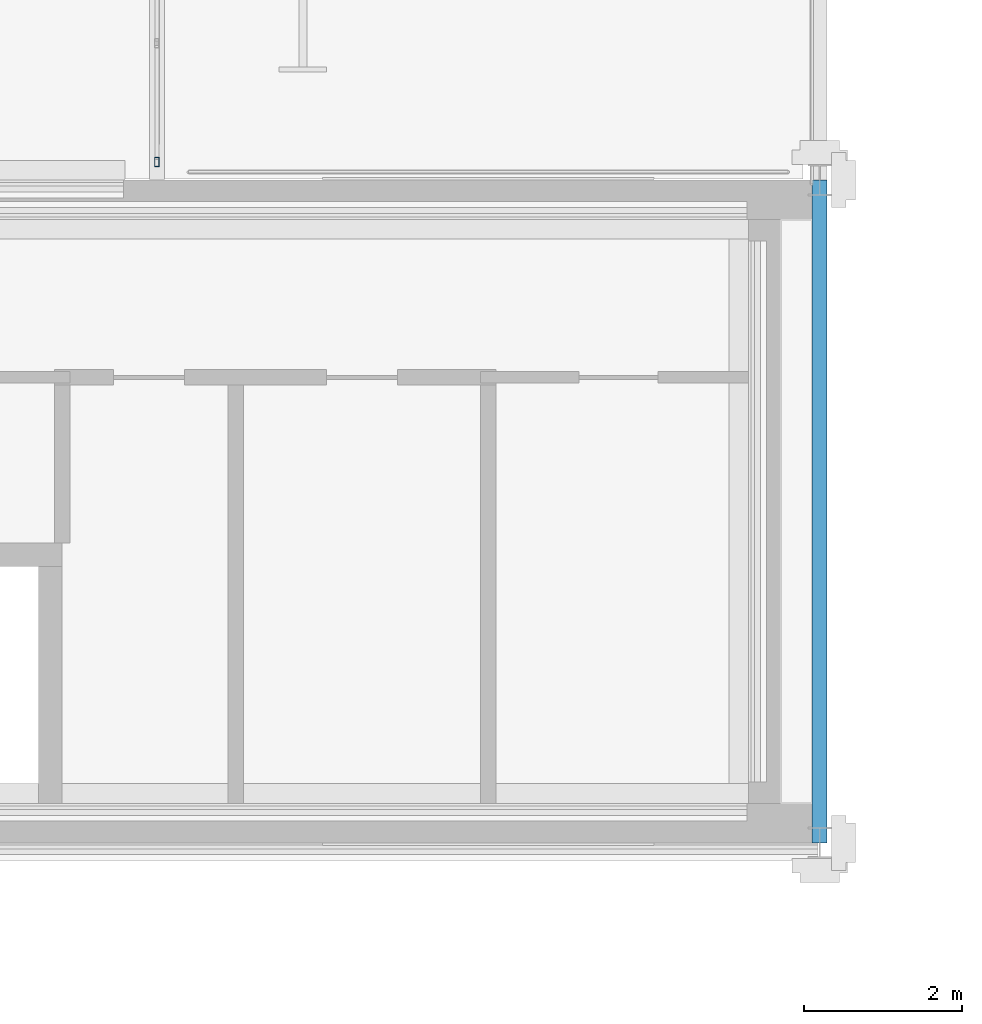
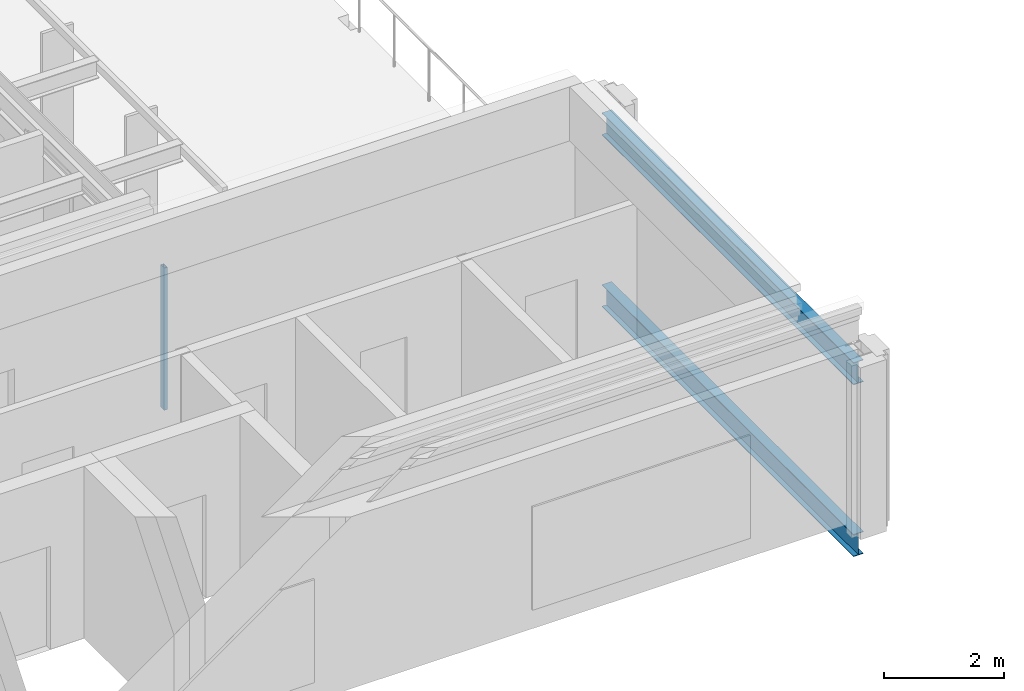
# One storey, part 5 of 31: 2 beams, 1 member, 1 element without a shape of its own.
"""IFC4 building model written with IfcOpenShell, lengths in metres."""

from ifc_helpers import new_model, si_unit, direction, frame, origin, origin_2d, place, context, subcontext, project, spatial, hollow_rectangle, i_section, extrude, material, material_profile, profile_set, type_object, element, aggregate, save


model = new_model("IFC4")

# Units and contexts
model_context = context("Model", 3, precision=1e-05, world=origin(), true_north=direction((0.0, 1.0)))
body_context = subcontext(model_context, "Body", "Model", "MODEL_VIEW")
ifc_project = project(units=[si_unit("LENGTHUNIT", "METRE"), si_unit("AREAUNIT", "SQUARE_METRE"), si_unit("VOLUMEUNIT", "CUBIC_METRE"), si_unit("PLANEANGLEUNIT", "RADIAN"), si_unit("MASSUNIT", "GRAM", prefix="KILO")], contexts=[model_context])

# Site, building, storey
site_placement = place(None, origin())
site = spatial("IfcSite", under=ifc_project, at=site_placement, CompositionType="ELEMENT")
building_placement = place(site_placement, origin())
building = spatial("IfcBuilding", under=site, at=building_placement, Name="Catenary Quay Ferry Terminal", CompositionType="ELEMENT")
storey_placement = place(building_placement, frame((0.0, 0.0, 20.60009765625)))
storey = spatial("IfcBuildingStorey", under=building, at=storey_placement, Name="L04", CompositionType="ELEMENT", Elevation=20.60009765625)

# Beams
ifc_material_1 = material(Name="Steel S355", Category="steel")
ifc_material_profile_1 = material_profile(ifc_material_1, i_section(OverallWidth=0.18994140625, OverallDepth=0.453369140625, WebThickness=0.008544921875, FlangeThickness=0.0126953125, at=origin_2d()), Name="UB 457x191x67")
ifc_profile_set_1 = profile_set([ifc_material_profile_1], Name="Steel S355")
beam_type = type_object("IfcBeamType", Name="B1 UB 457x191x67", PredefinedType="BEAM", material=ifc_profile_set_1)
for number, where, z_axis, x_axis, name in (
    (1, (50.39990234375, 159.60009765625, -0.47705078125), (0.0, 1.0, 0.0), (-1.0, 0.0, 0.0), "Beam B1-016"),
    (2, (50.39990234375, 159.60009765625, 3.02294921875), (0.0, 1.0, 0.0), (-1.0, 0.0, 0.0), "Beam B1-013"),
):
    element("IfcBeam", number, at=place(storey_placement, frame(where, z_axis=z_axis, x_axis=x_axis)), inside=storey, type_object=beam_type, Name=name, PredefinedType="BEAM", context=body_context, shape_type="SweptSolid", body=[
        extrude(i_section(OverallWidth=0.18994140625, OverallDepth=0.453369140625, WebThickness=0.008544921875, FlangeThickness=0.0126953125, at=origin_2d()), origin(), (0.0, 0.0, 1.0), 8.39990234375),
    ])

# Curtain wall, member
ifc_material_2 = material(Name="Aluminium and glass", Category="aluminium")
curtain_wall_type = type_object("IfcCurtainWallType", Name="CWW5", PredefinedType="NOTDEFINED", material=ifc_material_2)
curtain_wall_placement = place(storey_placement, origin())
curtain_wall = element("IfcCurtainWall", 3, at=curtain_wall_placement, inside=storey, type_object=curtain_wall_type, Name="Wing curtain wall CW158", PredefinedType="NOTDEFINED")
ifc_material_3 = material(Name="Aluminium", Category="aluminium")
ifc_material_profile_2 = material_profile(ifc_material_3, hollow_rectangle(XDim=0.06005859375, YDim=0.1201171875, WallThickness=0.0048828125, at=origin_2d()), Name="MU4")
ifc_profile_set_2 = profile_set([ifc_material_profile_2], Name="Aluminium")
member_type = type_object("IfcMemberType", Name="MU4", PredefinedType="MULLION", material=ifc_profile_set_2)
member_placement = place(storey_placement, frame((42.0, 168.22998046875, 0.0), z_axis=(0.0, 0.0, 1.0), x_axis=(-1.0, 0.0, 0.0)))
member = element("IfcMember", 4, at=member_placement, type_object=member_type, Name="CW158 mullion 1", PredefinedType="MULLION", context=body_context, shape_type="SweptSolid", body=[
    extrude(hollow_rectangle(XDim=0.06005859375, YDim=0.1201171875, WallThickness=0.0048828125, at=origin_2d()), origin(), (0.0, 0.0, 1.0), 2.89990234375),
])
aggregate(curtain_wall, [member])

save(model, "model.ifc")
